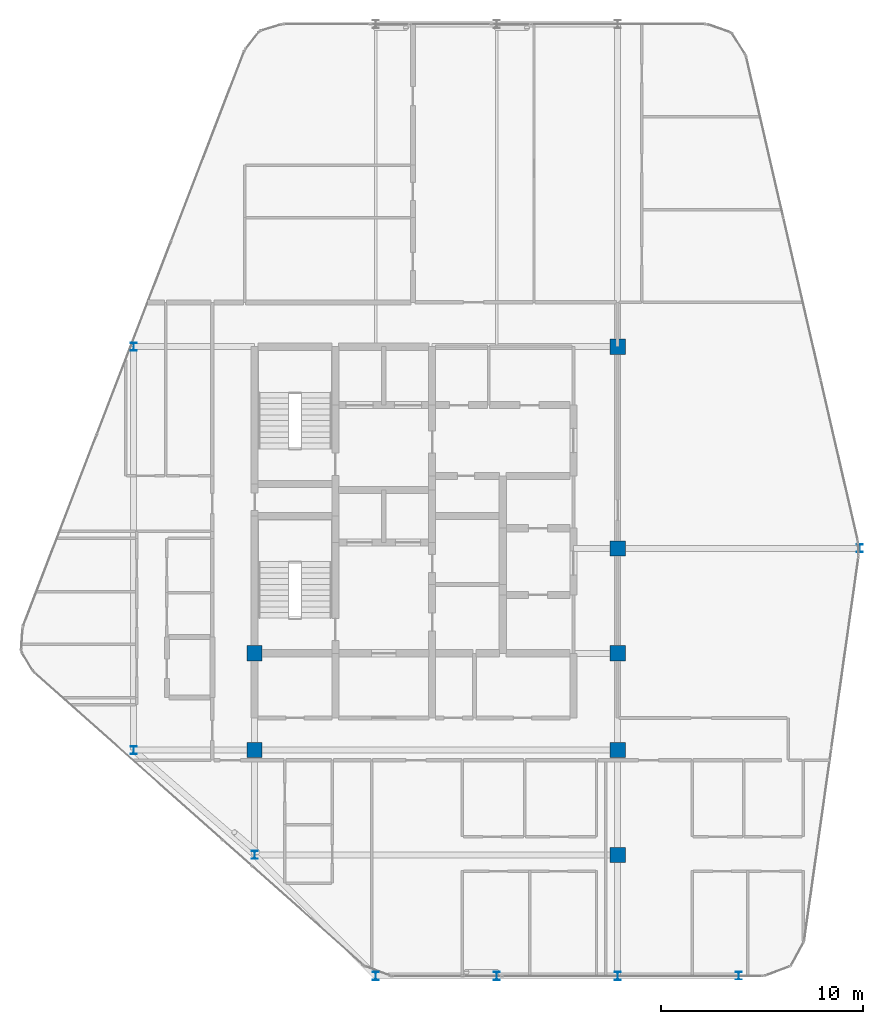
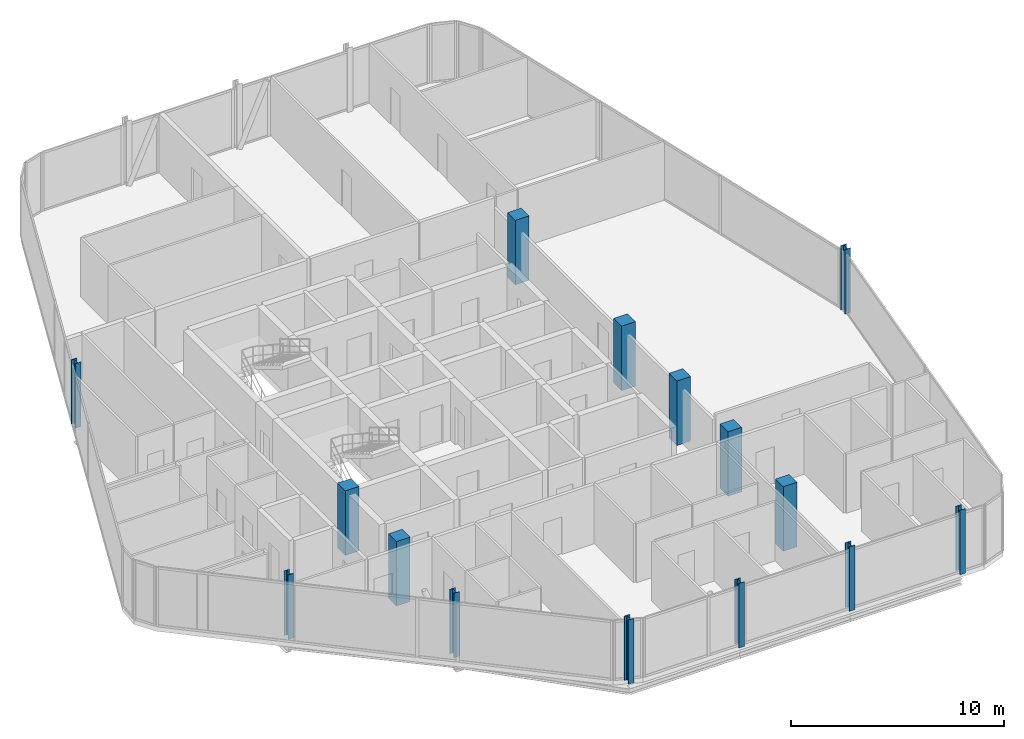
# One storey, part 1 of 27: 15 columns.
"""IFC4 building model written with IfcOpenShell, lengths in metres."""

from ifc_helpers import new_model, si_unit, direction, frame, origin, origin_2d, place, context, subcontext, project, spatial, rectangle, i_section, extrude, material, material_profile, profile_set, type_object, element, save


model = new_model("IFC4")

# Units and contexts
model_context = context("Model", 3, precision=1e-05, world=origin(), true_north=direction((0.0, 1.0)))
body_context = subcontext(model_context, "Body", "Model", "MODEL_VIEW")
ifc_project = project(units=[si_unit("LENGTHUNIT", "METRE"), si_unit("AREAUNIT", "SQUARE_METRE"), si_unit("VOLUMEUNIT", "CUBIC_METRE"), si_unit("PLANEANGLEUNIT", "RADIAN"), si_unit("MASSUNIT", "GRAM", prefix="KILO")], contexts=[model_context])

# Site, building, storey
site_placement = place(None, origin())
site = spatial("IfcSite", under=ifc_project, at=site_placement, CompositionType="ELEMENT")
building_placement = place(site_placement, origin())
building = spatial("IfcBuilding", under=site, at=building_placement, Name="Keshet Zoharim Tower", CompositionType="ELEMENT")
storey_placement = place(building_placement, frame((0.0, 0.0, 254.699951171875)))
storey = spatial("IfcBuildingStorey", under=building, at=storey_placement, Name="L63", CompositionType="ELEMENT", Elevation=254.699951171875)

# Columns
ifc_material_1 = material(Name="Steel S355", Category="steel")
ifc_material_profile_1 = material_profile(ifc_material_1, i_section(OverallWidth=0.300048828125, OverallDepth=0.39990234375, WebThickness=0.013427734375, FlangeThickness=0.02392578125, FilletRadius=0.027099609375, at=origin_2d()), Name="HEB400")
ifc_profile_set_1 = profile_set([ifc_material_profile_1], Name="Steel S355")
column_type_1 = type_object("IfcColumnType", Name="COL-HEB400", PredefinedType="COLUMN", material=ifc_profile_set_1)
for number, where, z_axis, x_axis, name in (
    (1, (9.0, 17.89990234375, 0.0), (0.0, 0.0, 1.0), (1.0, 0.0, 0.0), "L63 Column 2D"),
    (2, (9.0, 37.89990234375, 0.0), (0.0, 0.0, 1.0), (1.0, 0.0, 0.0), "L63 Column 2H"),
    (3, (15.0, 12.699951171875, 0.0), (0.0, 0.0, 1.0), (1.0, 0.0, 0.0), "L63 Column 3C"),
    (4, (21.0, 6.699951171875, 0.0), (0.0, 0.0, 1.0), (1.0, 0.0, 0.0), "L63 Column 4B"),
    (5, (27.0, 6.699951171875, 0.0), (0.0, 0.0, 1.0), (1.0, 0.0, 0.0), "L63 Column 5B"),
    (6, (33.0, 6.699951171875, 0.0), (0.0, 0.0, 1.0), (1.0, 0.0, 0.0), "L63 Column 6B"),
    (7, (39.0, 6.699951171875, 0.0), (0.0, 0.0, 1.0), (1.0, 0.0, 0.0), "L63 Column 7B"),
    (8, (45.0, 27.89990234375, 0.0), (0.0, 0.0, 1.0), (1.0, 0.0, 0.0), "L63 Column 8F"),
):
    element("IfcColumn", number, at=place(storey_placement, frame(where, z_axis=z_axis, x_axis=x_axis)), inside=storey, type_object=column_type_1, Name=name, PredefinedType="COLUMN", context=body_context, shape_type="SweptSolid", body=[
        extrude(i_section(OverallWidth=0.300048828125, OverallDepth=0.39990234375, WebThickness=0.013427734375, FlangeThickness=0.02392578125, FilletRadius=0.027099609375, at=origin_2d()), origin(), (0.0, 0.0, 1.0), 3.699951171875),
    ])
ifc_material_2 = material(Name="Concrete C50/60", Category="concrete")
ifc_material_profile_2 = material_profile(ifc_material_2, rectangle(XDim=0.75, YDim=0.75, at=origin_2d()), Name="RC750x750")
ifc_profile_set_2 = profile_set([ifc_material_profile_2], Name="Concrete C50/60")
column_type_2 = type_object("IfcColumnType", Name="COL-RC750", PredefinedType="COLUMN", material=ifc_profile_set_2)
for number, where, z_axis, x_axis, name in (
    (9, (15.0, 17.89990234375, 0.0), (0.0, 0.0, 1.0), (1.0, 0.0, 0.0), "L63 Column 3D"),
    (10, (15.0, 22.699951171875, 0.0), (0.0, 0.0, 1.0), (1.0, 0.0, 0.0), "L63 Column 3E"),
    (11, (33.0, 12.699951171875, 0.0), (0.0, 0.0, 1.0), (1.0, 0.0, 0.0), "L63 Column 6C"),
    (12, (33.0, 17.89990234375, 0.0), (0.0, 0.0, 1.0), (1.0, 0.0, 0.0), "L63 Column 6D"),
    (13, (33.0, 22.699951171875, 0.0), (0.0, 0.0, 1.0), (1.0, 0.0, 0.0), "L63 Column 6E"),
    (14, (33.0, 27.89990234375, 0.0), (0.0, 0.0, 1.0), (1.0, 0.0, 0.0), "L63 Column 6F"),
    (15, (33.0, 37.89990234375, 0.0), (0.0, 0.0, 1.0), (1.0, 0.0, 0.0), "L63 Column 6H"),
):
    element("IfcColumn", number, at=place(storey_placement, frame(where, z_axis=z_axis, x_axis=x_axis)), inside=storey, type_object=column_type_2, Name=name, PredefinedType="COLUMN", context=body_context, shape_type="SweptSolid", body=[
        extrude(rectangle(XDim=0.75, YDim=0.75, at=origin_2d()), origin(), (0.0, 0.0, 1.0), 3.699951171875),
    ])

save(model, "model.ifc")
